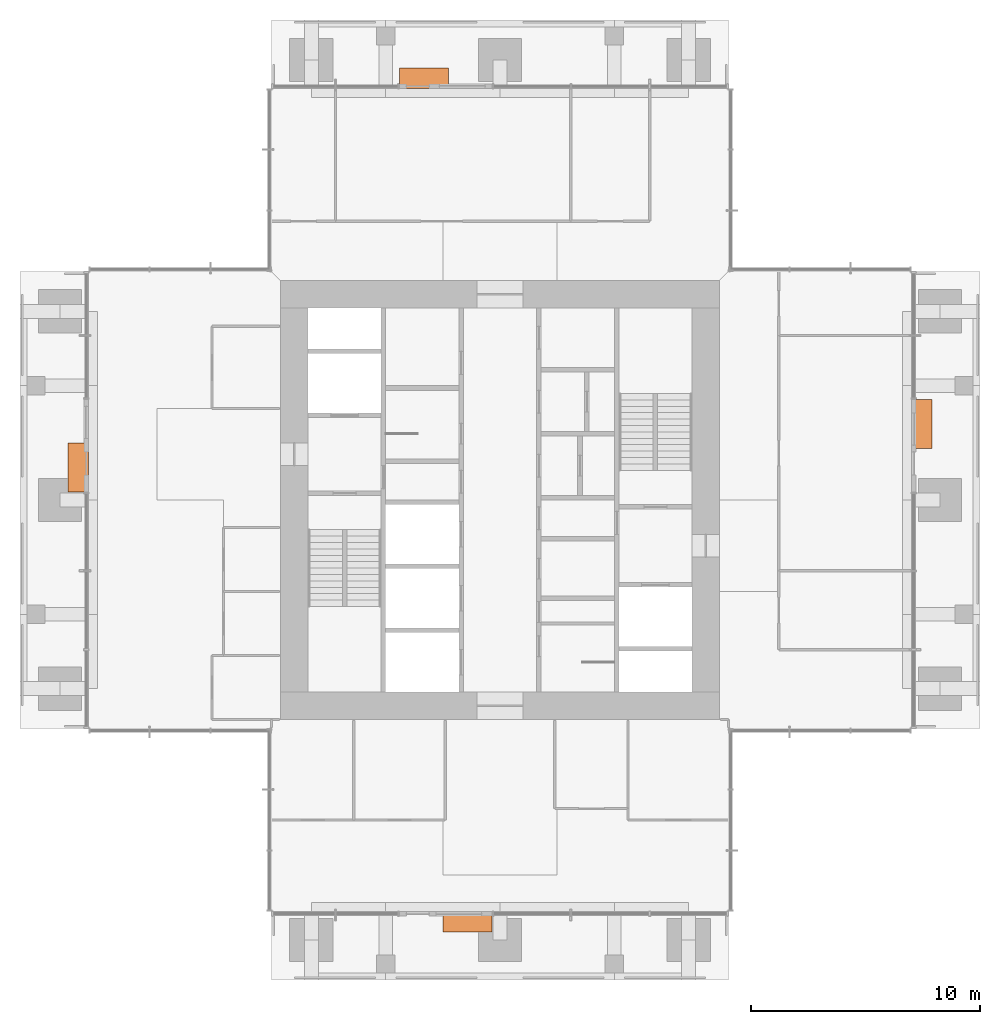
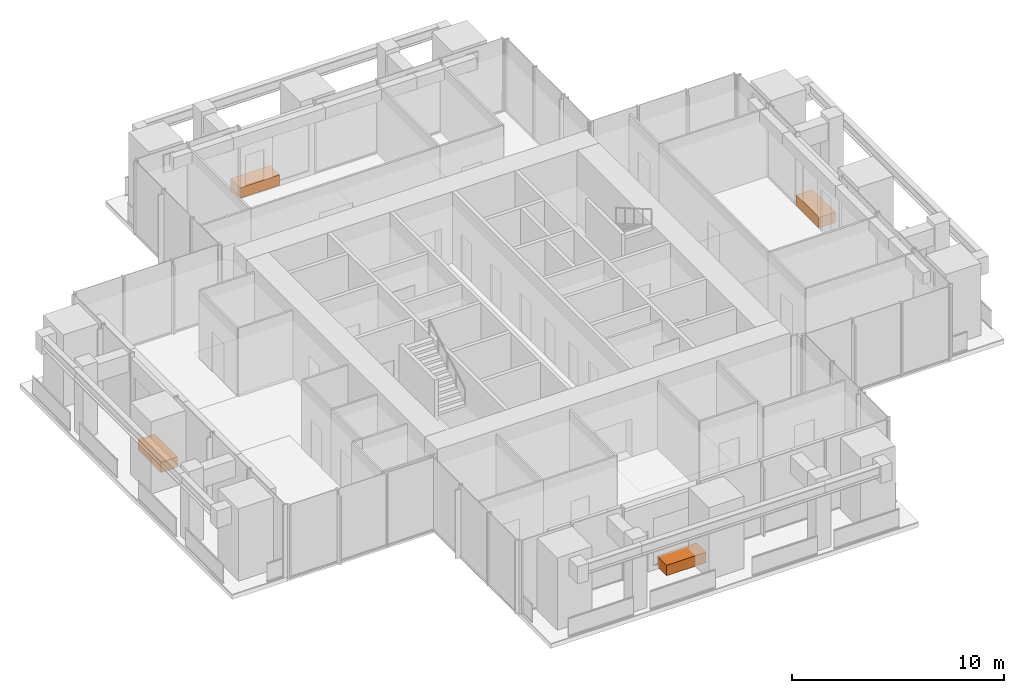
# One storey, part 12 of 12: 4 proxies.
"""IFC4 building model written with IfcOpenShell, lengths in metres."""

from ifc_helpers import new_model, si_unit, direction, frame, origin, origin_2d, place, context, subcontext, project, spatial, rectangle, extrude, element, save


model = new_model("IFC4")

# Units and contexts
model_context = context("Model", 3, precision=1e-05, world=origin(), true_north=direction((0.0, 1.0)))
body_context = subcontext(model_context, "Body", "Model", "MODEL_VIEW")
ifc_project = project(units=[si_unit("LENGTHUNIT", "METRE"), si_unit("AREAUNIT", "SQUARE_METRE"), si_unit("VOLUMEUNIT", "CUBIC_METRE"), si_unit("PLANEANGLEUNIT", "RADIAN"), si_unit("MASSUNIT", "GRAM", prefix="KILO")], contexts=[model_context])

# Site, building, storey
site_placement = place(None, origin())
site = spatial("IfcSite", under=ifc_project, at=site_placement, CompositionType="ELEMENT")
building_placement = place(site_placement, origin())
building = spatial("IfcBuilding", under=site, at=building_placement, Name="Svetlomir Tower", CompositionType="ELEMENT")
storey_placement = place(building_placement, frame((0.0, 0.0, 256.60009765625)))
storey = spatial("IfcBuildingStorey", under=building, at=storey_placement, Name="L61", CompositionType="ELEMENT", Elevation=256.60009765625)

# Proxies
proxy_1_placement = place(storey_placement, frame((19.574951171875, 2.550048828125, 0.039794921875), z_axis=(0.0, 0.0, 1.0), x_axis=(1.0, 0.0, 0.0)))
element("IfcBuildingElementProxy", 1, at=proxy_1_placement, inside=storey, Name="Tree planter S L61", ObjectType="PLANTER", PredefinedType="USERDEFINED", context=body_context, shape_type="SweptSolid", body=[
    extrude(rectangle(XDim=2.14990234375, YDim=0.89990234375, at=origin_2d()), origin(), (0.0, 0.0, 1.0), 0.60009765625),
])
proxy_2_placement = place(storey_placement, frame((39.449951171875, 24.324951171875, 0.039794921875), z_axis=(0.0, 0.0, 1.0), x_axis=(1.0, 0.0, 0.0)))
element("IfcBuildingElementProxy", 2, at=proxy_2_placement, inside=storey, Name="Tree planter E L61", ObjectType="PLANTER", PredefinedType="USERDEFINED", context=body_context, shape_type="SweptSolid", body=[
    extrude(rectangle(XDim=0.89990234375, YDim=2.14990234375, at=origin_2d()), origin(), (0.0, 0.0, 1.0), 0.60009765625),
])
proxy_3_placement = place(storey_placement, frame((17.675048828125, 39.449951171875, 0.039794921875), z_axis=(0.0, 0.0, 1.0), x_axis=(1.0, 0.0, 0.0)))
element("IfcBuildingElementProxy", 3, at=proxy_3_placement, inside=storey, Name="Tree planter N L61", ObjectType="PLANTER", PredefinedType="USERDEFINED", context=body_context, shape_type="SweptSolid", body=[
    extrude(rectangle(XDim=2.14990234375, YDim=0.89990234375, at=origin_2d()), origin(), (0.0, 0.0, 1.0), 0.60009765625),
])
proxy_4_placement = place(storey_placement, frame((2.550048828125, 22.425048828125, 0.039794921875), z_axis=(0.0, 0.0, 1.0), x_axis=(1.0, 0.0, 0.0)))
element("IfcBuildingElementProxy", 4, at=proxy_4_placement, inside=storey, Name="Tree planter W L61", ObjectType="PLANTER", PredefinedType="USERDEFINED", context=body_context, shape_type="SweptSolid", body=[
    extrude(rectangle(XDim=0.89990234375, YDim=2.14990234375, at=origin_2d()), origin(), (0.0, 0.0, 1.0), 0.60009765625),
])

save(model, "model.ifc")
